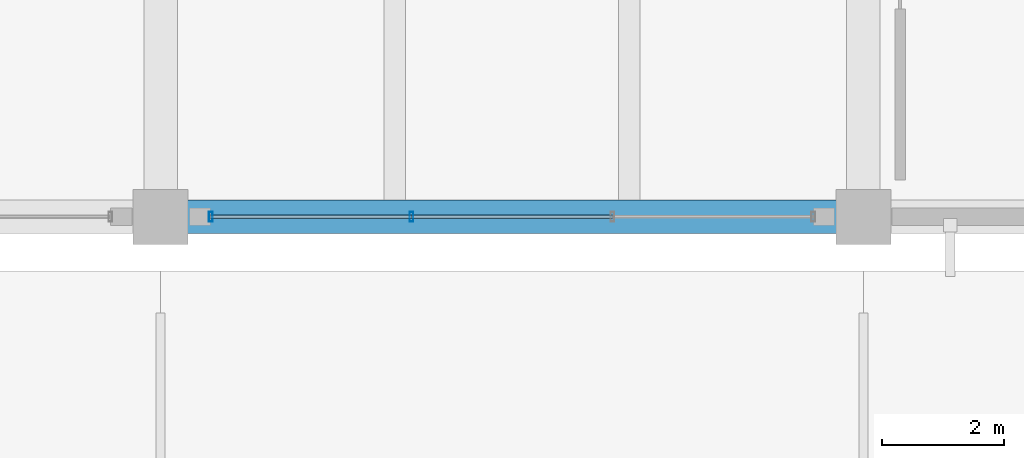
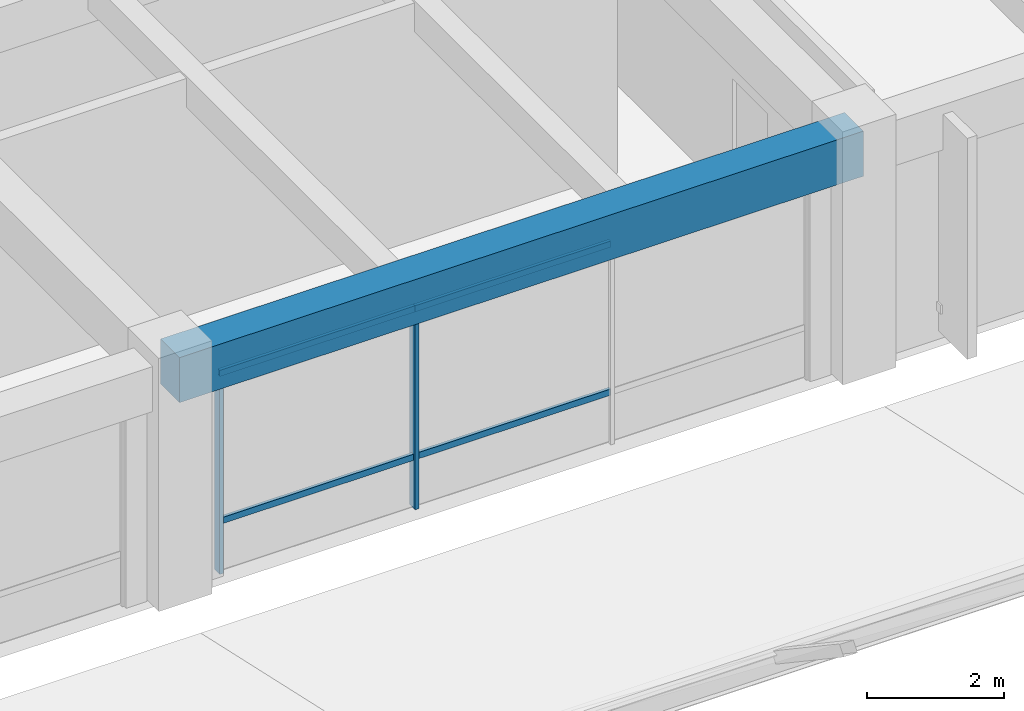
# One storey, part 113 of 154: 6 members, 1 beam, 1 element without a shape of its own.
"""IFC4 building model written with IfcOpenShell, lengths in metres."""

from ifc_helpers import new_model, si_unit, direction, frame, origin, origin_2d, place, context, subcontext, project, spatial, rectangle, hollow_rectangle, extrude, material, material_profile, profile_set, type_object, element, aggregate, save


model = new_model("IFC4")

# Units and contexts
model_context = context("Model", 3, precision=1e-05, world=origin(), true_north=direction((0.0, 1.0)))
body_context = subcontext(model_context, "Body", "Model", "MODEL_VIEW")
ifc_project = project(units=[si_unit("LENGTHUNIT", "METRE"), si_unit("AREAUNIT", "SQUARE_METRE"), si_unit("VOLUMEUNIT", "CUBIC_METRE"), si_unit("PLANEANGLEUNIT", "RADIAN"), si_unit("MASSUNIT", "GRAM", prefix="KILO")], contexts=[model_context])

# Site, building, storey
site_placement = place(None, origin())
site = spatial("IfcSite", under=ifc_project, at=site_placement, CompositionType="ELEMENT")
building_placement = place(site_placement, origin())
building = spatial("IfcBuilding", under=site, at=building_placement, Name="Ologun Quay Terminus", CompositionType="ELEMENT")
storey_placement = place(building_placement, frame((0.0, 0.0, 13.800048828125)))
storey = spatial("IfcBuildingStorey", under=building, at=storey_placement, Name="L03", CompositionType="ELEMENT", Elevation=13.800048828125)

# Curtain wall, members
ifc_material_1 = material(Name="Aluminium 6063-T6", Category="aluminium")
curtain_wall_type = type_object("IfcCurtainWallType", Name="Waterfront Pavilion Harbour Curtain Wall L03 10600x4150", PredefinedType="USERDEFINED", material=ifc_material_1)
curtain_wall_placement = place(storey_placement, origin())
curtain_wall = element("IfcCurtainWall", 1, at=curtain_wall_placement, inside=storey, type_object=curtain_wall_type, Name="CW-25 Curtain Wall CW-L03-139", ObjectType="UNITISED CURTAIN WALL", PredefinedType="USERDEFINED")
ifc_material_2 = material(Name="Aluminium 6063-T6", Category="aluminium")
ifc_material_profile_1 = material_profile(ifc_material_2, hollow_rectangle(XDim=0.06005859375, YDim=0.159912109375, WallThickness=0.00390625, at=origin_2d()), Name="ALU 160x60x4")
ifc_profile_set_1 = profile_set([ifc_material_profile_1], Name="Aluminium 6063-T6")
member_type_1 = type_object("IfcMemberType", Name="Courtyard Screen Mullion 160x65", PredefinedType="MULLION", material=ifc_profile_set_1)
member_1_placement = place(storey_placement, frame((138.820068359375, 85.800048828125, 0.0), z_axis=(0.0, 0.0, 1.0), x_axis=(1.0, 0.0, 0.0)))
member_1 = element("IfcMember", 2, at=member_1_placement, type_object=member_type_1, Name="CW-L03-139 Mullion 1", PredefinedType="MULLION", context=body_context, shape_type="SweptSolid", body=[
    extrude(hollow_rectangle(XDim=0.06005859375, YDim=0.159912109375, WallThickness=0.00390625, at=origin_2d()), origin(), (0.0, 0.0, 1.0), 4.22998046875),
])
member_2_placement = place(storey_placement, frame((142.106689453125, 85.800048828125, 0.0), z_axis=(0.0, 0.0, 1.0), x_axis=(1.0, 0.0, 0.0)))
member_2 = element("IfcMember", 3, at=member_2_placement, type_object=member_type_1, Name="CW-L03-139 Mullion 2", PredefinedType="MULLION", context=body_context, shape_type="SweptSolid", body=[
    extrude(hollow_rectangle(XDim=0.06005859375, YDim=0.159912109375, WallThickness=0.00390625, at=origin_2d()), origin(), (0.0, 0.0, 1.0), 4.22998046875),
])
ifc_material_3 = material(Name="Aluminium 6063-T6", Category="aluminium")
ifc_material_profile_2 = material_profile(ifc_material_3, hollow_rectangle(XDim=0.054931640625, YDim=0.110107421875, WallThickness=0.00390625, at=origin_2d()), Name="ALU 110x55x4")
ifc_profile_set_2 = profile_set([ifc_material_profile_2], Name="Aluminium 6063-T6")
member_type_2 = type_object("IfcMemberType", Name="Courtyard Screen Transom 110x55", PredefinedType="USERDEFINED", material=ifc_profile_set_2)
member_3_placement = place(storey_placement, frame((138.820068359375, 85.800048828125, 0.89990234375), z_axis=(1.0, 0.0, 0.0), x_axis=(0.0, 1.0, 0.0)))
member_3 = element("IfcMember", 4, at=member_3_placement, type_object=member_type_2, Name="CW-L03-139 Transom B1-1", ObjectType="TRANSOM", PredefinedType="USERDEFINED", context=body_context, shape_type="SweptSolid", body=[
    extrude(hollow_rectangle(XDim=0.054931640625, YDim=0.110107421875, WallThickness=0.00390625, at=origin_2d()), origin(), (0.0, 0.0, 1.0), 3.28662109375),
])
member_4_placement = place(storey_placement, frame((138.820068359375, 85.800048828125, 3.530029296875), z_axis=(1.0, 0.0, 0.0), x_axis=(0.0, 1.0, 0.0)))
member_4 = element("IfcMember", 5, at=member_4_placement, type_object=member_type_2, Name="CW-L03-139 Transom B1-2", ObjectType="TRANSOM", PredefinedType="USERDEFINED", context=body_context, shape_type="SweptSolid", body=[
    extrude(hollow_rectangle(XDim=0.054931640625, YDim=0.110107421875, WallThickness=0.00390625, at=origin_2d()), origin(), (0.0, 0.0, 1.0), 3.28662109375),
])
member_5_placement = place(storey_placement, frame((142.106689453125, 85.800048828125, 0.89990234375), z_axis=(1.0, 0.0, 0.0), x_axis=(0.0, 1.0, 0.0)))
member_5 = element("IfcMember", 6, at=member_5_placement, type_object=member_type_2, Name="CW-L03-139 Transom B2-1", ObjectType="TRANSOM", PredefinedType="USERDEFINED", context=body_context, shape_type="SweptSolid", body=[
    extrude(hollow_rectangle(XDim=0.054931640625, YDim=0.110107421875, WallThickness=0.00390625, at=origin_2d()), origin(), (0.0, 0.0, 1.0), 3.28662109375),
])
member_6_placement = place(storey_placement, frame((142.106689453125, 85.800048828125, 3.530029296875), z_axis=(1.0, 0.0, 0.0), x_axis=(0.0, 1.0, 0.0)))
member_6 = element("IfcMember", 7, at=member_6_placement, type_object=member_type_2, Name="CW-L03-139 Transom B2-2", ObjectType="TRANSOM", PredefinedType="USERDEFINED", context=body_context, shape_type="SweptSolid", body=[
    extrude(hollow_rectangle(XDim=0.054931640625, YDim=0.110107421875, WallThickness=0.00390625, at=origin_2d()), origin(), (0.0, 0.0, 1.0), 3.28662109375),
])
aggregate(curtain_wall, [member_1, member_2, member_3, member_4, member_5, member_6])

# Beam
ifc_material_4 = material(Name="Concrete C40/50", Category="concrete")
ifc_material_profile_3 = material_profile(ifc_material_4, rectangle(XDim=0.550048828125, YDim=0.800048828125, at=origin_2d()), Name="RC 550x800")
ifc_profile_set_3 = profile_set([ifc_material_profile_3], Name="Concrete C40/50")
beam_type = type_object("IfcBeamType", Name="Courtyard Wing Primary Girder 550x800", PredefinedType="BEAM", material=ifc_profile_set_3)
beam_placement = place(storey_placement, frame((138.0, 85.800048828125, 3.849853515625), z_axis=(1.0, 0.0, 0.0), x_axis=(0.0, 1.0, 0.0)))
element("IfcBeam", 8, at=beam_placement, inside=storey, type_object=beam_type, Name="B4 Beam 13/G2 L03", PredefinedType="BEAM", context=body_context, shape_type="SweptSolid", body=[
    extrude(rectangle(XDim=0.550048828125, YDim=0.800048828125, at=origin_2d()), origin(), (0.0, 0.0, 1.0), 11.5),
])

save(model, "model.ifc")
